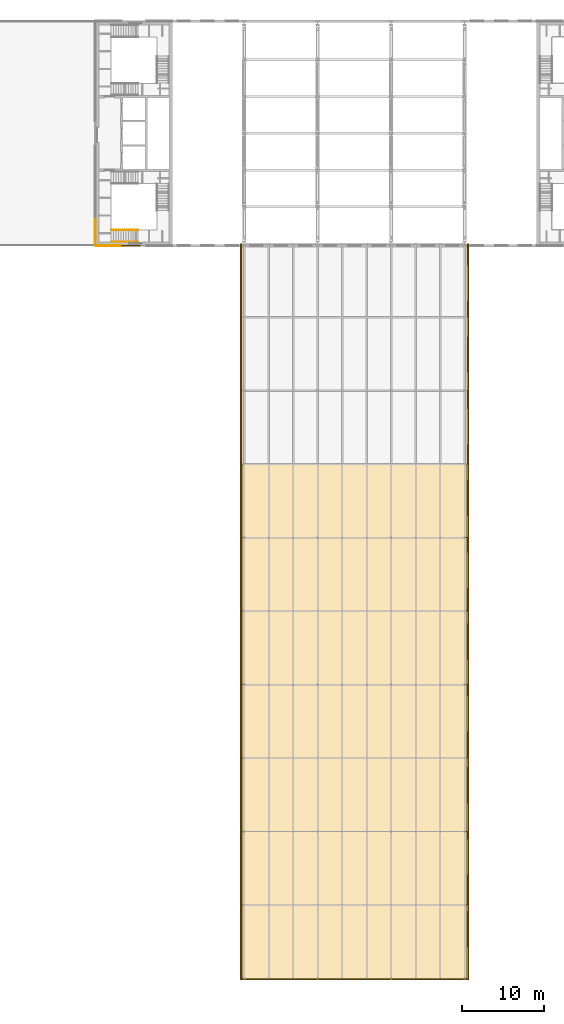
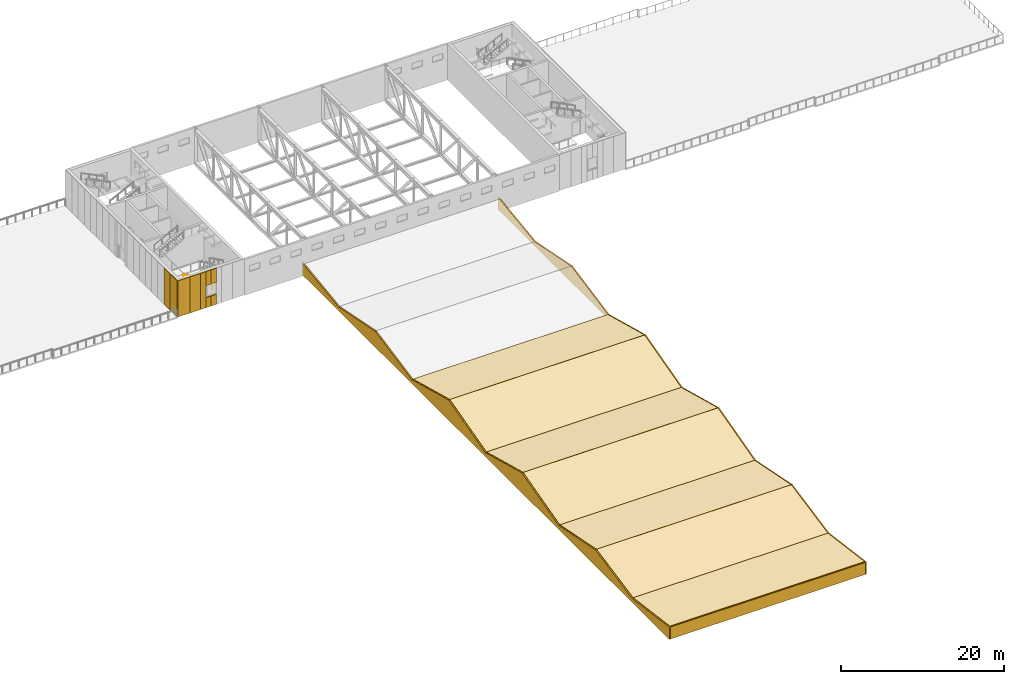
# One storey, part 24 of 29: 19 coverings, 2 railings.
"""IFC4 building model written with IfcOpenShell, lengths in metres."""

from ifc_helpers import new_model, si_unit, direction, frame, frame_2d, origin, origin_2d, place, context, subcontext, project, spatial, polyline, rectangle, circle, outline, extrude, material, layer, layer_set, type_object, element, save


model = new_model("IFC4")

# Units and contexts
model_context = context("Model", 3, precision=1e-05, world=origin(), true_north=direction((0.0, 1.0)))
body_context = subcontext(model_context, "Body", "Model", "MODEL_VIEW")
ifc_project = project(units=[si_unit("LENGTHUNIT", "METRE"), si_unit("AREAUNIT", "SQUARE_METRE"), si_unit("VOLUMEUNIT", "CUBIC_METRE"), si_unit("PLANEANGLEUNIT", "RADIAN"), si_unit("MASSUNIT", "GRAM", prefix="KILO")], contexts=[model_context])

# Site, building, storey
site_placement = place(None, origin())
site = spatial("IfcSite", under=ifc_project, at=site_placement, CompositionType="ELEMENT")
building_placement = place(site_placement, origin())
building = spatial("IfcBuilding", under=site, at=building_placement, Name="Azimuth Sports and Learning Centre", CompositionType="ELEMENT")
storey_placement = place(building_placement, frame((0.0, 0.0, 27.0)))
storey = spatial("IfcBuildingStorey", under=building, at=storey_placement, Name="L05", CompositionType="ELEMENT", Elevation=27.0)

# Coverings
ifc_material_1 = material(Name="Cladding panel")
ifc_layer_1 = layer(ifc_material_1, 0.10009765625)
ifc_layer_set_1 = layer_set([ifc_layer_1], Name="Cladding panel")
covering_type_1 = type_object("IfcCoveringType", Name="Cladding panel 100", PredefinedType="CLADDING", material=ifc_layer_set_1)
covering_1_placement = place(storey_placement, frame((54.64990234375, 89.75, 0.0), z_axis=(0.0, 0.0, 1.0), x_axis=(1.0, 0.0, 0.0)))
element("IfcCovering", 1, at=covering_1_placement, inside=storey, type_object=covering_type_1, Name="Cladding panel S-CORE W L05 1", PredefinedType="CLADDING", context=body_context, shape_type="SweptSolid", body=[
    extrude(rectangle(XDim=1.699951171875, YDim=0.10009765625, at=origin_2d()), origin(), (0.0, 0.0, 1.0), 5.39990234375),
])
covering_2_placement = place(storey_placement, frame((56.25, 89.75, 0.0), z_axis=(0.0, 0.0, 1.0), x_axis=(1.0, 0.0, 0.0)))
element("IfcCovering", 2, at=covering_2_placement, inside=storey, type_object=covering_type_1, Name="Cladding panel S-CORE W L05 2", PredefinedType="CLADDING", context=body_context, shape_type="SweptSolid", body=[
    extrude(rectangle(XDim=1.5, YDim=0.10009765625, at=origin_2d()), origin(), (0.0, 0.0, 1.0), 5.39990234375),
])
covering_3_placement = place(storey_placement, frame((57.375, 89.75, 0.0), z_axis=(0.0, 0.0, 1.0), x_axis=(1.0, 0.0, 0.0)))
element("IfcCovering", 3, at=covering_3_placement, inside=storey, type_object=covering_type_1, Name="Cladding panel S-CORE W L05 3", PredefinedType="CLADDING", context=body_context, shape_type="SweptSolid", body=[
    extrude(rectangle(XDim=0.75, YDim=0.10009765625, at=origin_2d()), origin(), (0.0, 0.0, 1.0), 5.39990234375),
])
covering_4_placement = place(storey_placement, frame((58.125, 89.75, 0.0), z_axis=(0.0, 0.0, 1.0), x_axis=(1.0, 0.0, 0.0)))
element("IfcCovering", 4, at=covering_4_placement, inside=storey, type_object=covering_type_1, Name="Cladding panel S-CORE W L05 4", PredefinedType="CLADDING", context=body_context, shape_type="SweptSolid", body=[
    extrude(rectangle(XDim=0.75, YDim=0.10009765625, at=origin_2d()), origin(), (0.0, 0.0, 1.0), 1.5),
])
covering_5_placement = place(storey_placement, frame((58.125, 89.75, 3.300048828125), z_axis=(0.0, 0.0, 1.0), x_axis=(1.0, 0.0, 0.0)))
element("IfcCovering", 5, at=covering_5_placement, inside=storey, type_object=covering_type_1, Name="Cladding panel S-CORE W L05 5", PredefinedType="CLADDING", context=body_context, shape_type="SweptSolid", body=[
    extrude(rectangle(XDim=0.75, YDim=0.10009765625, at=origin_2d()), origin(), (0.0, 0.0, 1.0), 2.10009765625),
])
covering_6_placement = place(storey_placement, frame((58.875, 89.75, 0.0), z_axis=(0.0, 0.0, 1.0), x_axis=(1.0, 0.0, 0.0)))
element("IfcCovering", 6, at=covering_6_placement, inside=storey, type_object=covering_type_1, Name="Cladding panel S-CORE W L05 7", PredefinedType="CLADDING", context=body_context, shape_type="SweptSolid", body=[
    extrude(rectangle(XDim=0.75, YDim=0.10009765625, at=origin_2d()), origin(), (0.0, 0.0, 1.0), 1.5),
])
covering_7_placement = place(storey_placement, frame((58.875, 89.75, 3.300048828125), z_axis=(0.0, 0.0, 1.0), x_axis=(1.0, 0.0, 0.0)))
element("IfcCovering", 7, at=covering_7_placement, inside=storey, type_object=covering_type_1, Name="Cladding panel S-CORE W L05 8", PredefinedType="CLADDING", context=body_context, shape_type="SweptSolid", body=[
    extrude(rectangle(XDim=0.75, YDim=0.10009765625, at=origin_2d()), origin(), (0.0, 0.0, 1.0), 2.10009765625),
])
covering_8_placement = place(storey_placement, frame((53.75, 92.25, 0.0), z_axis=(0.0, 0.0, 1.0), x_axis=(0.0, -1.0, 0.0)))
element("IfcCovering", 8, at=covering_8_placement, inside=storey, type_object=covering_type_1, Name="Cladding panel W-CORE W L05 19", PredefinedType="CLADDING", context=body_context, shape_type="SweptSolid", body=[
    extrude(rectangle(XDim=1.5, YDim=0.10009765625, at=origin_2d()), origin(), (0.0, 0.0, 1.0), 5.39990234375),
])
covering_9_placement = place(storey_placement, frame((53.75, 90.64990234375, 0.0), z_axis=(0.0, 0.0, 1.0), x_axis=(0.0, -1.0, 0.0)))
element("IfcCovering", 9, at=covering_9_placement, inside=storey, type_object=covering_type_1, Name="Cladding panel W-CORE W L05 20", PredefinedType="CLADDING", context=body_context, shape_type="SweptSolid", body=[
    extrude(rectangle(XDim=1.699951171875, YDim=0.10009765625, at=origin_2d()), origin(), (0.0, 0.0, 1.0), 5.39990234375),
])
ifc_material_2 = material(Name="Aluminium cladding panel", Category="aluminium")
ifc_layer_2 = layer(ifc_material_2, 0.179931640625)
ifc_layer_set_2 = layer_set([ifc_layer_2], Name="Aluminium cladding panel")
covering_type_2 = type_object("IfcCoveringType", Name="Roof fascia cladding 180", PredefinedType="CLADDING", material=ifc_layer_set_2)
for number, where, z_axis, x_axis, name in (
    (10, (71.610107421875, -0.179931640625, 0.0), (0.0, 0.0, 1.0), (0.0, 1.0, 0.0), "Roof fascia cladding W"),
    (11, (99.389892578125, -0.179931640625, 0.0), (0.0, 0.0, 1.0), (0.0, 1.0, 0.0), "Roof fascia cladding E"),
):
    element("IfcCovering", number, at=place(storey_placement, frame(where, z_axis=z_axis, x_axis=x_axis)), inside=storey, type_object=covering_type_2, Name=name, PredefinedType="CLADDING", context=body_context, shape_type="SweptSolid", body=[
        extrude(outline(polyline([(0.0, 0.0), (90.179931640625, 0.0), (90.179931640625, 1.800048828125), (81.179931640625, 0.60009765625), (72.179931640625, 2.39990234375), (63.179931640625, 0.60009765625), (54.179931640625, 3.0), (45.179931640625, 0.60009765625), (36.179931640625, 3.0), (27.179931640625, 0.60009765625), (18.179931640625, 2.39990234375), (9.179931640625, 0.60009765625), (0.179931640625, 1.800048828125), (0.0, 1.800048828125), (0.0, 0.0)])), frame((0.0, 0.08984375, 0.0), z_axis=(0.0, -1.0, 0.0), x_axis=(1.0, 0.0, 0.0)), (0.0, 0.0, 1.0), 0.179931640625),
    ])
covering_10_placement = place(storey_placement, frame((71.699951171875, -0.090087890625, 0.0), z_axis=(0.0, 0.0, 1.0), x_axis=(1.0, 0.0, 0.0)))
element("IfcCovering", 12, at=covering_10_placement, inside=storey, type_object=covering_type_2, Name="Roof fascia cladding S", PredefinedType="CLADDING", context=body_context, shape_type="SweptSolid", body=[
    extrude(rectangle(XDim=27.60009765625, YDim=0.179931640625, at=frame_2d((13.800048828125, 0.0))), origin(), (0.0, 0.0, 1.0), 1.800048828125),
])
ifc_material_3 = material(Name="Aluminium standing seam", Category="aluminium")
ifc_layer_3 = layer(ifc_material_3, 0.030029296875)
ifc_layer_set_3 = layer_set([ifc_layer_3], Name="Aluminium standing seam")
covering_type_3 = type_object("IfcCoveringType", Name="Roofing standing seam 30", PredefinedType="ROOFING", material=ifc_layer_set_3)
covering_11_placement = place(storey_placement, frame((71.699951171875, 0.00390625, 1.829833984375), z_axis=(0.0, 0.132184855285, 0.991225082427), x_axis=(1.0, 0.0, 0.0)))
element("IfcCovering", 13, at=covering_11_placement, inside=storey, type_object=covering_type_3, Name="Roofing FOLD01", PredefinedType="ROOFING", context=body_context, shape_type="SweptSolid", body=[
    extrude(outline(polyline([(0.0, 0.0), (27.60009765625, 0.0), (27.60009765625, 9.079673385543499), (0.0, 9.079673385543499), (0.0, 0.0)])), origin(), (0.0, 0.0, -1.0), 0.030029296875),
])
for number, where, z_axis, x_axis, name in (
    (14, (71.699951171875, 8.994140625, 0.62939453125), (0.0, -0.196121250506, 0.980579652604), (1.0, 0.0, 0.0), "Roofing FOLD02"),
    (15, (71.699951171875, 18.005859375, 2.429443359375), (0.0, 0.196121250506, 0.980579652604), (1.0, 0.0, 0.0), "Roofing FOLD03"),
):
    element("IfcCovering", number, at=place(storey_placement, frame(where, z_axis=z_axis, x_axis=x_axis)), inside=storey, type_object=covering_type_3, Name=name, PredefinedType="ROOFING", context=body_context, shape_type="SweptSolid", body=[
        extrude(outline(polyline([(0.0, 0.0), (27.60009765625, 0.0), (27.60009765625, 9.17824470057506), (0.0, 9.17824470057506), (0.0, 0.0)])), origin(), (0.0, 0.0, -1.0), 0.030029296875),
    ])
for number, where, z_axis, x_axis, name in (
    (16, (71.699951171875, 26.9921875, 0.62890625), (0.0, -0.25767733287, 0.966231024199), (1.0, 0.0, 0.0), "Roofing FOLD04"),
    (17, (71.699951171875, 36.0078125, 3.029052734375), (0.0, 0.25767733287, 0.966231024199), (1.0, 0.0, 0.0), "Roofing FOLD05"),
    (18, (71.699951171875, 44.9921875, 0.62890625), (0.0, -0.25767733287, 0.966231024199), (1.0, 0.0, 0.0), "Roofing FOLD06"),
    (19, (71.699951171875, 54.0078125, 3.029052734375), (0.0, 0.25767733287, 0.966231024199), (1.0, 0.0, 0.0), "Roofing FOLD07"),
):
    element("IfcCovering", number, at=place(storey_placement, frame(where, z_axis=z_axis, x_axis=x_axis)), inside=storey, type_object=covering_type_3, Name=name, PredefinedType="ROOFING", context=body_context, shape_type="SweptSolid", body=[
        extrude(outline(polyline([(0.0, 0.0), (27.60009765625, 0.0), (27.60009765625, 9.314542562383709), (0.0, 9.314542562383709), (0.0, 0.0)])), origin(), (0.0, 0.0, -1.0), 0.030029296875),
    ])

# Railings
ifc_material_4 = material(Name="Stainless steel", Category="steel")
railing_type = type_object("IfcRailingType", Name="Stair handrail 42", PredefinedType="HANDRAIL", material=ifc_material_4)
for number, where, name in (
    (20, (59.010009765625, 91.679931640625, 1.949951171875), "Handrail W1 L05 flight 2 inner"),
    (21, (59.010009765625, 90.239990234375, 1.949951171875), "Handrail W1 L05 flight 2 outer"),
):
    element("IfcRailing", number, at=place(storey_placement, frame(where)), inside=storey, type_object=railing_type, Name=name, PredefinedType="HANDRAIL", context=body_context, shape_type="SweptSolid", body=[
        extrude(circle(Radius=0.02099609375, at=origin_2d()), frame((0.0, 0.0, 0.87890625), z_axis=(-0.894413956696, 0.0, 0.447240063129), x_axis=(0.0, -1.0, 0.0)), (0.0, 0.0, 1.0), 3.689697265625),
        extrude(circle(Radius=0.01611328125, at=origin_2d()), origin(), (0.0, 0.0, 1.0), 0.85791015625),
        extrude(circle(Radius=0.01611328125, at=origin_2d()), frame((-1.10009765625, 0.0, 0.550048828125)), (0.0, 0.0, 1.0), 0.85791015625),
        extrude(circle(Radius=0.01611328125, at=origin_2d()), frame((-2.199951171875, 0.0, 1.10009765625)), (0.0, 0.0, 1.0), 0.85791015625),
        extrude(circle(Radius=0.01611328125, at=origin_2d()), frame((-3.300048828125, 0.0, 1.650146484375)), (0.0, 0.0, 1.0), 0.85791015625),
    ])

save(model, "model.ifc")
